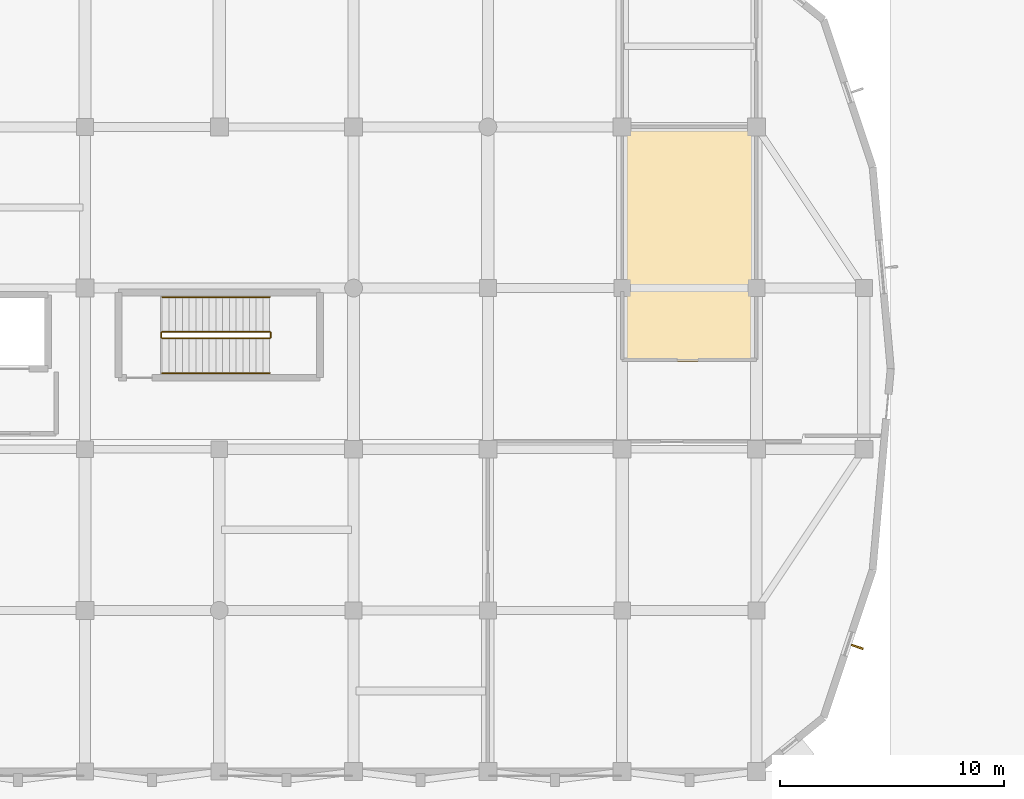
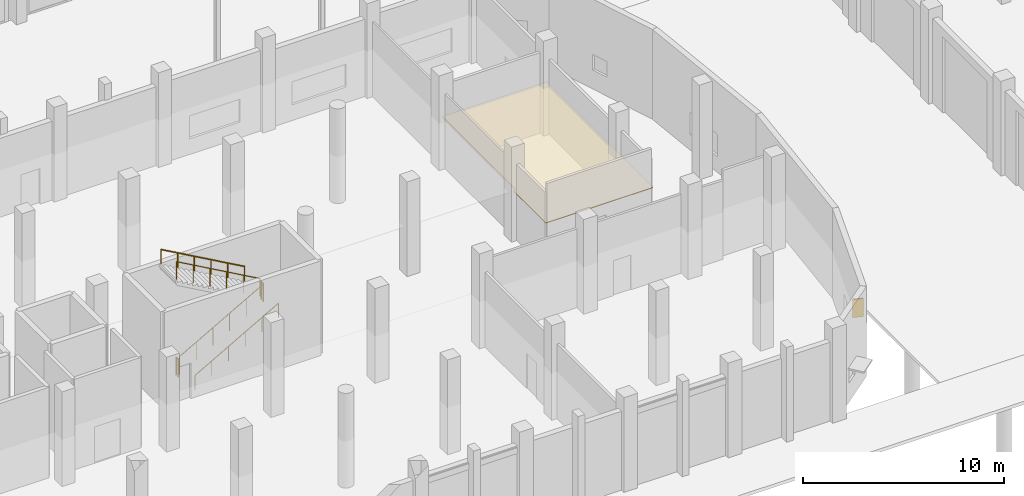
# One storey, part 92 of 103: 6 railings, 1 covering, 1 shading device.
"""IFC4 building model written with IfcOpenShell, lengths in metres."""

from ifc_helpers import new_model, si_unit, direction, frame, origin, origin_2d, place, context, subcontext, project, spatial, polyline, rectangle, circle, outline, extrude, material, layer, layer_set, type_object, element, save


model = new_model("IFC4")

# Units and contexts
model_context = context("Model", 3, precision=1e-05, world=origin(), true_north=direction((0.0, 1.0)))
body_context = subcontext(model_context, "Body", "Model", "MODEL_VIEW")
ifc_project = project(units=[si_unit("LENGTHUNIT", "METRE"), si_unit("AREAUNIT", "SQUARE_METRE"), si_unit("VOLUMEUNIT", "CUBIC_METRE"), si_unit("PLANEANGLEUNIT", "RADIAN"), si_unit("MASSUNIT", "GRAM", prefix="KILO")], contexts=[model_context])

# Site, building, storey
site_placement = place(None, origin())
site = spatial("IfcSite", under=ifc_project, at=site_placement, CompositionType="ELEMENT")
building_placement = place(site_placement, origin())
building = spatial("IfcBuilding", under=site, at=building_placement, Name="Dunvalen Ferry Terminal", CompositionType="ELEMENT")
storey_placement = place(building_placement, origin())
storey = spatial("IfcBuildingStorey", under=building, at=storey_placement, Name="L00", CompositionType="ELEMENT", Elevation=0.0)

# Shading device
ifc_material_1 = material(Name="Anodised marine aluminium EN AW-6063 T6", Category="aluminium")
ifc_layer_1 = layer(ifc_material_1, 0.080078125, Name="Anodised marine aluminium EN AW-6063 T6")
ifc_layer_set_1 = layer_set([ifc_layer_1], Name="Anodised marine aluminium EN AW-6063 T6")
shading_device_type = type_object("IfcShadingDeviceType", Name="ENV-SHD-FIN01", PredefinedType="USERDEFINED", material=ifc_layer_set_1)
shading_device_placement = place(storey_placement, frame((94.507080078125, 5.569580078125, 1.14990234375), z_axis=(0.0, 0.0, 1.0), x_axis=(0.316232085723, 0.948681858138, 0.0)))
element("IfcShadingDevice", 1, at=shading_device_placement, inside=storey, type_object=shading_device_type, Name="L00 East Solar Fin 002", ObjectType="SOLAR FIN", PredefinedType="USERDEFINED", context=body_context, shape_type="SweptSolid", body=[
    extrude(rectangle(XDim=0.080078125, YDim=0.550048828125, at=origin_2d()), origin(), (0.0, 0.0, 1.0), 1.10009765625),
])

# Covering
ifc_material_2 = material(Name="Moisture-resistant mineral-fibre acoustic ceiling", Category="gypsum")
ifc_layer_2 = layer(ifc_material_2, 0.050048828125, Name="Moisture-resistant mineral-fibre acoustic ceiling")
ifc_layer_set_2 = layer_set([ifc_layer_2], Name="Moisture-resistant mineral-fibre acoustic ceiling")
covering_type = type_object("IfcCoveringType", Name="INT-COV-CLG02", PredefinedType="CEILING", material=ifc_layer_set_2)
covering_placement = place(storey_placement, frame((0.0, 0.0, 2.800048828125)))
element("IfcCovering", 2, at=covering_placement, inside=storey, type_object=covering_type, Name="L00 Maritime Wing Public Toilets Acoustic Suspended Ceiling", PredefinedType="CEILING", context=body_context, shape_type="SweptSolid", body=[
    extrude(outline(polyline([(84.070068359375, 21.617919921875), (84.044189453125, 21.555908203125), (83.909912109375, 21.5), (83.909912109375, 18.31005859375), (90.090087890625, 18.31005859375), (90.090087890625, 28.889892578125), (84.070068359375, 28.889892578125), (84.070068359375, 21.617919921875)])), origin(), (0.0, 0.0, 1.0), 0.050048828125),
])

# Railings
ifc_material_3 = material(Name="Painted galvanised steel S275", Category="steel")
railing_type_1 = type_object("IfcRailingType", Name="INT-RL-STGRD", PredefinedType="GUARDRAIL", material=ifc_material_3)
railing_1_placement = place(storey_placement, frame((63.449951171875, 19.35009765625, 0.16943359375)))
element("IfcRailing", 3, at=railing_1_placement, inside=storey, type_object=railing_type_1, Name="L00 ST3 stair guard 1", PredefinedType="GUARDRAIL", context=body_context, shape_type="SweptSolid", body=[
    extrude(circle(Radius=0.02392578125, at=origin_2d()), frame((0.0, 0.0, 1.076171875), z_axis=(0.870766506294, 0.0, 0.491696747514), x_axis=(0.0, 1.0, 0.0)), (0.0, 0.0, 1.0), 5.512451171875),
    extrude(circle(Radius=0.02099609375, at=origin_2d()), origin(), (0.0, 0.0, 1.0), 1.052001953125),
    extrude(circle(Radius=0.02099609375, at=origin_2d()), frame((0.9599609375, 0.0, 0.5419921875)), (0.0, 0.0, 1.0), 1.052001953125),
    extrude(circle(Radius=0.02099609375, at=origin_2d()), frame((1.919921875, 0.0, 1.084228515625)), (0.0, 0.0, 1.0), 1.052001953125),
    extrude(circle(Radius=0.02099609375, at=origin_2d()), frame((2.880126953125, 0.0, 1.626220703125)), (0.0, 0.0, 1.0), 1.052001953125),
    extrude(circle(Radius=0.02099609375, at=origin_2d()), frame((3.840087890625, 0.0, 2.16845703125)), (0.0, 0.0, 1.0), 1.052001953125),
    extrude(circle(Radius=0.02099609375, at=origin_2d()), frame((4.800048828125, 0.0, 2.71044921875)), (0.0, 0.0, 1.0), 1.052001953125),
])
railing_2_placement = place(storey_placement, frame((68.300048828125, 19.39990234375, 2.8798828125)))
element("IfcRailing", 4, at=railing_2_placement, inside=storey, type_object=railing_type_1, Name="L00 ST3 stair guard 2", PredefinedType="GUARDRAIL", context=body_context, shape_type="SweptSolid", body=[
    extrude(circle(Radius=0.02392578125, at=origin_2d()), frame((0.0, 0.0, 1.076171875), z_axis=(0.0, 1.0, 0.0), x_axis=(-1.0, 0.0, 0.0)), (0.0, 0.0, 1.0), 0.2001953125),
    extrude(circle(Radius=0.02099609375, at=origin_2d()), origin(), (0.0, 0.0, 1.0), 1.052001953125),
    extrude(circle(Radius=0.02099609375, at=origin_2d()), frame((0.0, 0.2001953125, 0.0)), (0.0, 0.0, 1.0), 1.052001953125),
])
railing_3_placement = place(storey_placement, frame((68.25, 19.64990234375, 3.04931640625)))
element("IfcRailing", 5, at=railing_3_placement, inside=storey, type_object=railing_type_1, Name="L00 ST3 stair guard 3", PredefinedType="GUARDRAIL", context=body_context, shape_type="SweptSolid", body=[
    extrude(circle(Radius=0.02392578125, at=origin_2d()), frame((0.0, 0.0, 1.076171875), z_axis=(-0.870747543578, 0.0, 0.491730327875), x_axis=(0.0, -1.0, 0.0)), (0.0, 0.0, 1.0), 5.512451171875),
    extrude(circle(Radius=0.02099609375, at=origin_2d()), origin(), (0.0, 0.0, 1.0), 1.052001953125),
    extrude(circle(Radius=0.02099609375, at=origin_2d()), frame((-0.9599609375, 0.0, 0.542236328125)), (0.0, 0.0, 1.0), 1.052001953125),
    extrude(circle(Radius=0.02099609375, at=origin_2d()), frame((-1.919921875, 0.0, 1.084228515625)), (0.0, 0.0, 1.0), 1.052001953125),
    extrude(circle(Radius=0.02099609375, at=origin_2d()), frame((-2.880126953125, 0.0, 1.62646484375)), (0.0, 0.0, 1.0), 1.052001953125),
    extrude(circle(Radius=0.02099609375, at=origin_2d()), frame((-3.840087890625, 0.0, 2.16845703125)), (0.0, 0.0, 1.0), 1.052001953125),
    extrude(circle(Radius=0.02099609375, at=origin_2d()), frame((-4.800048828125, 0.0, 2.710693359375)), (0.0, 0.0, 1.0), 1.052001953125),
])
railing_4_placement = place(storey_placement, frame((63.39990234375, 19.39990234375, 0.0)))
element("IfcRailing", 6, at=railing_4_placement, inside=storey, type_object=railing_type_1, Name="L00 ST3 stair guard 4", PredefinedType="GUARDRAIL", context=body_context, shape_type="SweptSolid", body=[
    extrude(circle(Radius=0.02392578125, at=origin_2d()), frame((0.0, 0.0, 1.076171875), z_axis=(0.0, 1.0, 0.0), x_axis=(-1.0, 0.0, 0.0)), (0.0, 0.0, 1.0), 0.2001953125),
    extrude(circle(Radius=0.02099609375, at=origin_2d()), origin(), (0.0, 0.0, 1.0), 1.052001953125),
    extrude(circle(Radius=0.02099609375, at=origin_2d()), frame((0.0, 0.2001953125, 0.0)), (0.0, 0.0, 1.0), 1.052001953125),
])
ifc_material_4 = material(Name="Brushed 316 stainless steel", Category="steel")
railing_type_2 = type_object("IfcRailingType", Name="INT-RL-STHND", PredefinedType="HANDRAIL", material=ifc_material_4)
railing_5_placement = place(storey_placement, frame((63.449951171875, 17.800048828125, 0.16943359375)))
element("IfcRailing", 7, at=railing_5_placement, inside=storey, type_object=railing_type_2, Name="L00 ST3 stair handrail 1", PredefinedType="HANDRAIL", context=body_context, shape_type="SweptSolid", body=[
    extrude(circle(Radius=0.02392578125, at=origin_2d()), frame((0.0, 0.0, 0.8759765625), z_axis=(0.870766506294, 0.0, 0.491696747514), x_axis=(0.0, 1.0, 0.0)), (0.0, 0.0, 1.0), 5.512451171875),
    extrude(circle(Radius=0.02099609375, at=origin_2d()), origin(), (0.0, 0.0, 1.0), 0.851806640625),
    extrude(circle(Radius=0.02099609375, at=origin_2d()), frame((0.9599609375, 0.0, 0.5419921875)), (0.0, 0.0, 1.0), 0.851806640625),
    extrude(circle(Radius=0.02099609375, at=origin_2d()), frame((1.919921875, 0.0, 1.084228515625)), (0.0, 0.0, 1.0), 0.851806640625),
    extrude(circle(Radius=0.02099609375, at=origin_2d()), frame((2.880126953125, 0.0, 1.626220703125)), (0.0, 0.0, 1.0), 0.851806640625),
    extrude(circle(Radius=0.02099609375, at=origin_2d()), frame((3.840087890625, 0.0, 2.16845703125)), (0.0, 0.0, 1.0), 0.851806640625),
    extrude(circle(Radius=0.02099609375, at=origin_2d()), frame((4.800048828125, 0.0, 2.71044921875)), (0.0, 0.0, 1.0), 0.851806640625),
])
railing_6_placement = place(storey_placement, frame((68.25, 21.199951171875, 3.04931640625)))
element("IfcRailing", 8, at=railing_6_placement, inside=storey, type_object=railing_type_2, Name="L00 ST3 stair handrail 2", PredefinedType="HANDRAIL", context=body_context, shape_type="SweptSolid", body=[
    extrude(circle(Radius=0.02392578125, at=origin_2d()), frame((0.0, 0.0, 0.8759765625), z_axis=(-0.870747543578, 0.0, 0.491730327875), x_axis=(0.0, -1.0, 0.0)), (0.0, 0.0, 1.0), 5.512451171875),
    extrude(circle(Radius=0.02099609375, at=origin_2d()), origin(), (0.0, 0.0, 1.0), 0.851806640625),
    extrude(circle(Radius=0.02099609375, at=origin_2d()), frame((-0.9599609375, 0.0, 0.542236328125)), (0.0, 0.0, 1.0), 0.851806640625),
    extrude(circle(Radius=0.02099609375, at=origin_2d()), frame((-1.919921875, 0.0, 1.084228515625)), (0.0, 0.0, 1.0), 0.851806640625),
    extrude(circle(Radius=0.02099609375, at=origin_2d()), frame((-2.880126953125, 0.0, 1.62646484375)), (0.0, 0.0, 1.0), 0.851806640625),
    extrude(circle(Radius=0.02099609375, at=origin_2d()), frame((-3.840087890625, 0.0, 2.16845703125)), (0.0, 0.0, 1.0), 0.851806640625),
    extrude(circle(Radius=0.02099609375, at=origin_2d()), frame((-4.800048828125, 0.0, 2.710693359375)), (0.0, 0.0, 1.0), 0.851806640625),
])

save(model, "model.ifc")
